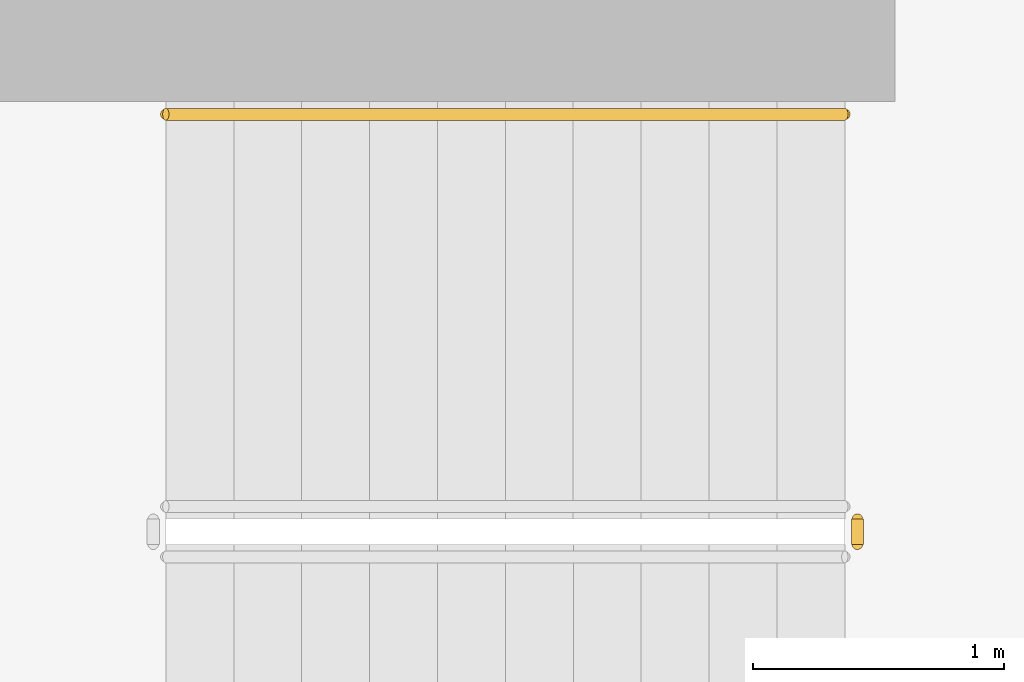
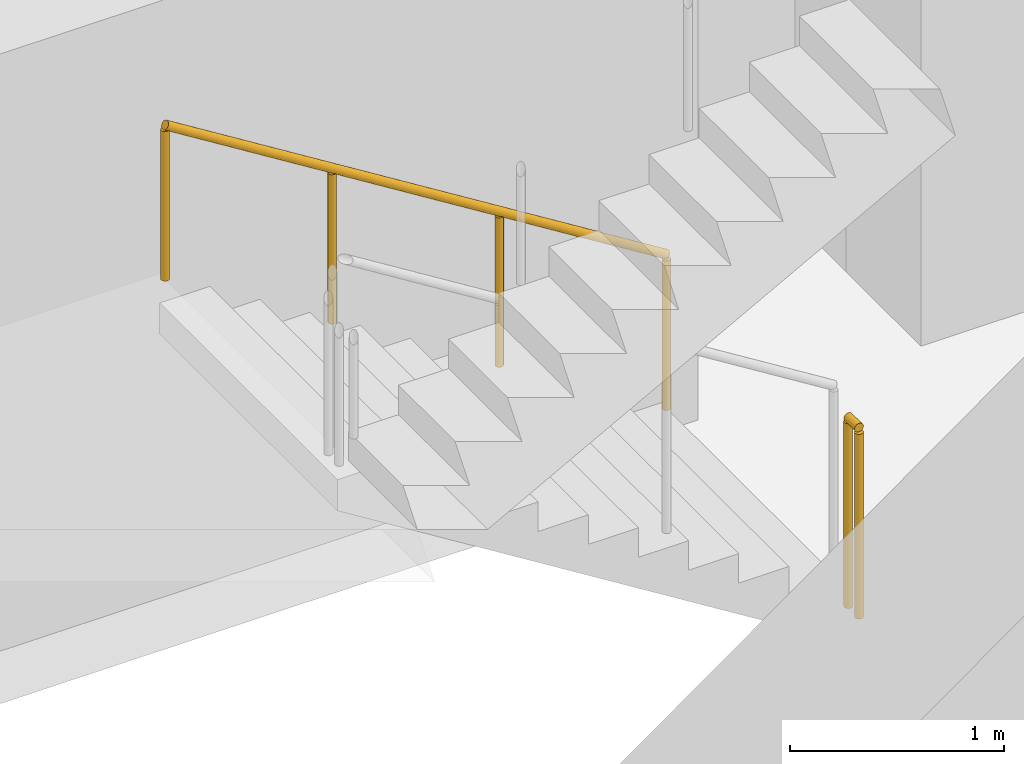
# One storey, part 15 of 16: 2 railings.
"""IFC4 building model written with IfcOpenShell, lengths in metres."""

from ifc_helpers import new_model, si_unit, direction, frame, origin, origin_2d, place, context, subcontext, project, spatial, circle, extrude, material, type_object, element, save


model = new_model("IFC4")

# Units and contexts
model_context = context("Model", 3, precision=1e-05, world=origin(), true_north=direction((0.0, 1.0)))
body_context = subcontext(model_context, "Body", "Model", "MODEL_VIEW")
ifc_project = project(units=[si_unit("LENGTHUNIT", "METRE"), si_unit("AREAUNIT", "SQUARE_METRE"), si_unit("VOLUMEUNIT", "CUBIC_METRE"), si_unit("PLANEANGLEUNIT", "RADIAN"), si_unit("MASSUNIT", "GRAM", prefix="KILO")], contexts=[model_context])

# Site, building, storey
site_placement = place(None, origin())
site = spatial("IfcSite", under=ifc_project, at=site_placement, CompositionType="ELEMENT")
building_placement = place(site_placement, origin())
building = spatial("IfcBuilding", under=site, at=building_placement, Name="Vermilion Reach Broadcast Tower", CompositionType="ELEMENT")
storey_placement = place(building_placement, frame((0.0, 0.0, 50.800048828125)))
storey = spatial("IfcBuildingStorey", under=building, at=storey_placement, Name="L09", CompositionType="ELEMENT", Elevation=50.800048828125)

# Railings
ifc_material_1 = material(Name="Stainless steel", Category="steel")
railing_type_1 = type_object("IfcRailingType", Name="Stair guard 1100", PredefinedType="GUARDRAIL", material=ifc_material_1)
railing_1_placement = place(storey_placement, frame((-0.949951171875, 5.639892578125, 0.0)))
element("IfcRailing", 1, at=railing_1_placement, inside=storey, type_object=railing_type_1, Name="L09 ST2 stair guard 4", PredefinedType="GUARDRAIL", context=body_context, shape_type="SweptSolid", body=[
    extrude(circle(Radius=0.02392578125, at=origin_2d()), frame((0.0, 0.0, 1.076171875), z_axis=(0.0, -1.0, 0.0), x_axis=(1.0, 0.0, 0.0)), (0.0, 0.0, 1.0), 0.099853515625),
    extrude(circle(Radius=0.02099609375, at=origin_2d()), origin(), (0.0, 0.0, 1.0), 1.052001953125),
    extrude(circle(Radius=0.02099609375, at=origin_2d()), frame((0.0, -0.099853515625, 0.0)), (0.0, 0.0, 1.0), 1.052001953125),
])
ifc_material_2 = material(Name="Stainless steel", Category="steel")
railing_type_2 = type_object("IfcRailingType", Name="Stair handrail", PredefinedType="HANDRAIL", material=ifc_material_2)
railing_2_placement = place(storey_placement, frame((-1.0, 7.25, 0.168212890625)))
element("IfcRailing", 2, at=railing_2_placement, inside=storey, type_object=railing_type_2, Name="L09 ST2 stair handrail 1", PredefinedType="HANDRAIL", context=body_context, shape_type="SweptSolid", body=[
    extrude(circle(Radius=0.02392578125, at=origin_2d()), frame((0.0, 0.0, 0.8759765625), z_axis=(-0.84882087487, 0.0, 0.528680548522), x_axis=(0.0, -1.0, 0.0)), (0.0, 0.0, 1.0), 3.180908203125),
    extrude(circle(Radius=0.02099609375, at=origin_2d()), origin(), (0.0, 0.0, 1.0), 0.851806640625),
    extrude(circle(Radius=0.02099609375, at=origin_2d()), frame((-0.89990234375, 0.0, 0.560546875)), (0.0, 0.0, 1.0), 0.851806640625),
    extrude(circle(Radius=0.02099609375, at=origin_2d()), frame((-1.800048828125, 0.0, 1.12109375)), (0.0, 0.0, 1.0), 0.851806640625),
    extrude(circle(Radius=0.02099609375, at=origin_2d()), frame((-2.699951171875, 0.0, 1.681640625)), (0.0, 0.0, 1.0), 0.851806640625),
])

save(model, "model.ifc")
